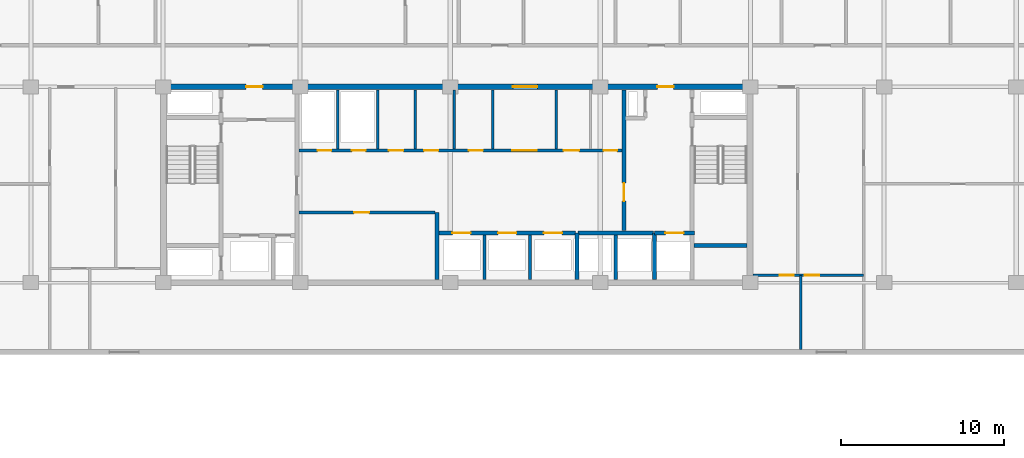
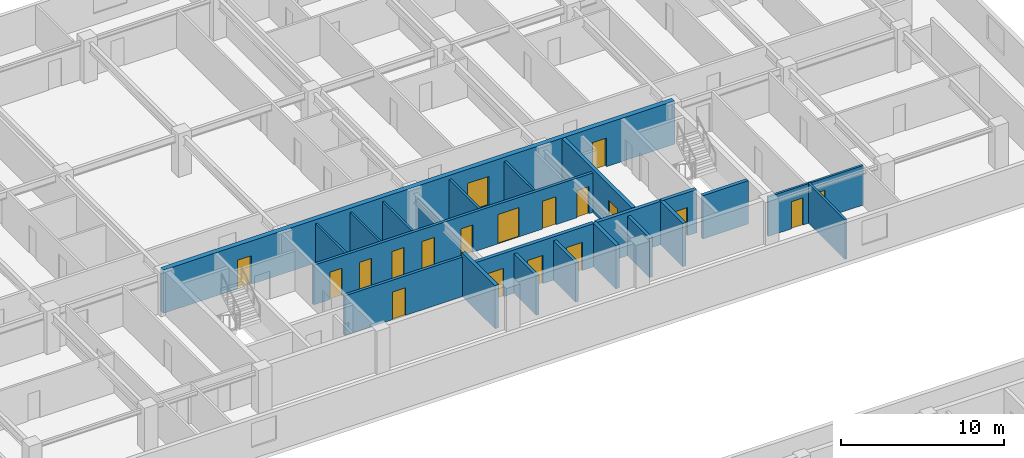
# One storey, part 11 of 21: 22 walls, 19 doors, 19 openings.
"""IFC4 building model written with IfcOpenShell, lengths in metres."""

import ifcopenshell
import ifcopenshell.guid

model = None  # the IFC model being written
_history = None  # IfcOwnerHistory: only IFC2X3 demands one
_inside = {}  # id of a spatial element -> (the spatial element, [elements in it])
_under = {}  # id of a project, library or spatial element -> (it, [spatial elements below it])
_declared = {}  # id of a project -> (the project, [libraries it declares])
_typed = {}  # id of a type object -> (the type object, [elements of that type])
_made_of = {}  # id of a material, layer set ... -> (it, [elements and type objects made of it])


def new_model(schema):
    """Start an empty IFC model of exactly this schema.

    Asked for "IFC4X3", IfcOpenShell would pick the latest addendum, in which some entities
    have other attributes; the version numbers below select the first issue.
    IFC2X3 requires an IfcOwnerHistory on every rooted entity: one is made here for all.
    """
    global model, _history
    if schema == "IFC4X3":
        model = ifcopenshell.file(schema_version=(4, 3, 0, 0))
    else:
        model = ifcopenshell.file(schema=schema)
    _inside.clear()
    _under.clear()
    _declared.clear()
    _typed.clear()
    _made_of.clear()
    _history = None
    if model.schema == "IFC2X3":
        org = make("IfcOrganization", Name="unknown")
        user = make(
            "IfcPersonAndOrganization",
            ThePerson=make("IfcPerson", FamilyName="unknown"),
            TheOrganization=org,
        )
        app = make(
            "IfcApplication",
            ApplicationDeveloper=org,
            Version="unknown",
            ApplicationFullName="unknown",
            ApplicationIdentifier="unknown",
        )
        _history = make(
            "IfcOwnerHistory",
            OwningUser=user,
            OwningApplication=app,
            ChangeAction="ADDED",
            CreationDate=0,
        )
    return model


def make(cls, **values):
    """One entity of the class cls with the attributes given. An attribute that is None is left unset."""
    return model.create_entity(
        cls, **{name: value for name, value in values.items() if value is not None}
    )


def rooted(cls, **values):
    """An entity with a GlobalId (a new one), such as an element, a storey or a relation."""
    return make(cls, GlobalId=ifcopenshell.guid.new(), OwnerHistory=_history, **values)


def si_unit(unit_type, name, prefix=None):
    """IfcSIUnit, for example si_unit("LENGTHUNIT", "METRE", prefix="MILLI")."""
    return make("IfcSIUnit", UnitType=unit_type, Prefix=prefix, Name=name)


def assignment(units):
    """IfcUnitAssignment: the units of a project."""
    return None if units is None else make("IfcUnitAssignment", Units=units)


def point(xyz):
    """IfcCartesianPoint."""
    return None if xyz is None else make("IfcCartesianPoint", Coordinates=xyz)


def direction(xyz):
    """IfcDirection."""
    return None if xyz is None else make("IfcDirection", DirectionRatios=xyz)


def frame(location, z_axis=None, x_axis=None):
    """IfcAxis2Placement3D, a coordinate frame: its origin and axes. An axis left out is left unset."""
    return make(
        "IfcAxis2Placement3D",
        Location=point(location),
        Axis=direction(z_axis),
        RefDirection=direction(x_axis),
    )


def frame_2d(location, x_axis=None):
    """IfcAxis2Placement2D, a coordinate frame in the plane: its origin and x axis."""
    return make(
        "IfcAxis2Placement2D", Location=point(location), RefDirection=direction(x_axis)
    )


def origin():
    """The frame at (0, 0, 0) with its axes left unset."""
    return frame((0.0, 0.0, 0.0))


def place(relative_to, where):
    """IfcLocalPlacement: puts the frame where relative to a parent placement (None: the world)."""
    return make(
        "IfcLocalPlacement", PlacementRelTo=relative_to, RelativePlacement=where
    )


def context(
    kind, dimensions, precision=None, world=None, true_north=None, identifier=None
):
    """IfcGeometricRepresentationContext, for example the 3D "Model" context."""
    return make(
        "IfcGeometricRepresentationContext",
        ContextIdentifier=identifier,
        ContextType=kind,
        CoordinateSpaceDimension=dimensions,
        Precision=precision,
        WorldCoordinateSystem=world,
        TrueNorth=true_north,
    )


def subcontext(parent, identifier, kind, view, scale=None):
    """IfcGeometricRepresentationSubContext, for example "Body" below "Model"."""
    return make(
        "IfcGeometricRepresentationSubContext",
        ContextIdentifier=identifier,
        ContextType=kind,
        ParentContext=parent,
        TargetScale=scale,
        TargetView=view,
    )


def project(units=None, contexts=None):
    """IfcProject with its units and contexts."""
    return rooted(
        "IfcProject",
        Name="project",
        RepresentationContexts=contexts,
        UnitsInContext=assignment(units),
    )


def spatial(cls, under=None, at=None, **own):
    """A site, building, storey or space (cls), placed at a placement, below another one or the project."""
    s = rooted(cls, ObjectPlacement=at, **own)
    if under is not None:
        _under.setdefault(under.id(), (under, []))[1].append(s)
    return s


def profile(cls, at=None, kind="AREA", **sizes):
    """A parametric profile (cls). Its sizes go by their IFC names, for example OverallWidth=200.0."""
    return make(cls, ProfileType=kind, Position=at, **sizes)


def rectangle(**sizes):
    """IfcRectangleProfileDef."""
    return profile("IfcRectangleProfileDef", **sizes)


def extrude(swept, where, along, depth):
    """IfcExtrudedAreaSolid: the profile swept, set in the frame where, extruded along a direction by depth."""
    return make(
        "IfcExtrudedAreaSolid",
        SweptArea=swept,
        Position=where,
        ExtrudedDirection=direction(along),
        Depth=depth,
    )


def shape(context_of_items, identifier, shape_type, items):
    """IfcShapeRepresentation: the items that make up one representation, for example the "Body"."""
    return make(
        "IfcShapeRepresentation",
        ContextOfItems=context_of_items,
        RepresentationIdentifier=identifier,
        RepresentationType=shape_type,
        Items=items,
    )


def material(Name=None, Category=None):
    """IfcMaterial."""
    return make("IfcMaterial", Name=Name, Category=Category)


def layer(
    of_material, thickness, ventilated=None, Name=None, Category=None, Priority=None
):
    """IfcMaterialLayer: one layer of a wall or slab, of a material (None: an air gap)."""
    return make(
        "IfcMaterialLayer",
        Material=of_material,
        LayerThickness=thickness,
        IsVentilated=ventilated,
        Name=Name,
        Category=Category,
        Priority=Priority,
    )


def layer_set(layers, Name=None):
    """IfcMaterialLayerSet."""
    return make("IfcMaterialLayerSet", MaterialLayers=layers, LayerSetName=Name)


def made_of(thing, what):
    """Note that an element or type object is made of a material, layer set ...; save() writes the relation."""
    if what is not None:
        _made_of.setdefault(what.id(), (what, []))[1].append(thing)
    return thing


def type_object(cls, material=None, **own):
    """A type object (cls), such as IfcWallType, which elements share."""
    return made_of(rooted(cls, **own), material)


def element(
    cls,
    number,
    at=None,
    inside=None,
    cuts=None,
    type_object=None,
    material=None,
    context=None,
    identifier="Body",
    shape_type=None,
    held_by="IfcProductDefinitionShape",
    body=None,
    shapes=None,
    **own,
):
    """One element of the class cls, such as IfcWall. Its Tag is "e" and its number.

    at: its placement. inside: the storey or other place that contains it. cuts: it is an
    opening in that element (IfcRelVoidsElement). A single representation is given by context,
    identifier, shape_type and body (its items); several are given by shapes. held_by: the class
    of the entity that holds the representations. save() writes the other relations.
    """
    e = rooted(cls, Tag="e%d" % number, ObjectPlacement=at, **own)
    if body is not None:
        shapes = [shape(context, identifier, shape_type, body)]
    if shapes is not None:
        e.Representation = make(held_by, Representations=shapes)
    if inside is not None:
        _inside.setdefault(inside.id(), (inside, []))[1].append(e)
    if cuts is not None:
        rooted(
            "IfcRelVoidsElement", RelatingBuildingElement=cuts, RelatedOpeningElement=e
        )
    if type_object is not None:
        _typed.setdefault(type_object.id(), (type_object, []))[1].append(e)
    return made_of(e, material)


def fill(opening, filler):
    """IfcRelFillsElement: the door or window that sits in an opening."""
    return rooted(
        "IfcRelFillsElement",
        RelatingOpeningElement=opening,
        RelatedBuildingElement=filler,
    )


def aggregate(whole, parts):
    """IfcRelAggregates: a whole, such as a stair, and the parts it consists of."""
    return rooted("IfcRelAggregates", RelatingObject=whole, RelatedObjects=parts)


def save(model, path):
    """Write the relations noted so far, then the file.

    IfcRelAggregates (storeys below a building ...), IfcRelContainedInSpatialStructure (elements
    in a storey), IfcRelDefinesByType, IfcRelAssociatesMaterial and IfcRelDeclares: one each for
    every whole, place, type object, material and project.
    """
    for whole, parts in _under.values():
        aggregate(whole, parts)
    for where, things in _inside.values():
        rooted(
            "IfcRelContainedInSpatialStructure",
            RelatedElements=things,
            RelatingStructure=where,
        )
    for kind, things in _typed.values():
        rooted("IfcRelDefinesByType", RelatedObjects=things, RelatingType=kind)
    for what, things in _made_of.values():
        rooted("IfcRelAssociatesMaterial", RelatedObjects=things, RelatingMaterial=what)
    for by, libraries in _declared.values():
        rooted("IfcRelDeclares", RelatingContext=by, RelatedDefinitions=libraries)
    model.write(path)


model = new_model("IFC4")

# Units and contexts
model_context = context("Model", 3, precision=1e-05, world=origin(), true_north=direction((0.0, 1.0)))
body_context = subcontext(model_context, "Body", "Model", "MODEL_VIEW")
ifc_project = project(units=[si_unit("LENGTHUNIT", "METRE"), si_unit("AREAUNIT", "SQUARE_METRE"), si_unit("VOLUMEUNIT", "CUBIC_METRE"), si_unit("PLANEANGLEUNIT", "RADIAN"), si_unit("MASSUNIT", "GRAM", prefix="KILO")], contexts=[model_context])

# Site, building, storey
site_placement = place(None, origin())
site = spatial("IfcSite", under=ifc_project, at=site_placement, CompositionType="ELEMENT")
building_placement = place(site_placement, origin())
building = spatial("IfcBuilding", under=site, at=building_placement, Name="Korimba Cascade Residences", CompositionType="ELEMENT")
storey_placement = place(building_placement, frame((0.0, 0.0, 100.300048828125)))
storey = spatial("IfcBuildingStorey", under=building, at=storey_placement, Name="L28", CompositionType="ELEMENT", Elevation=100.300048828125)

# Wall, openings, doors
ifc_material_1 = material(Name="Concrete C65/80", Category="concrete")
ifc_layer_1 = layer(ifc_material_1, 0.35009765625)
ifc_layer_set_1 = layer_set([ifc_layer_1], Name="Concrete C65/80")
wall_type_1 = type_object("IfcWallType", Name="WAL-CORE-350", PredefinedType="SHEAR", material=ifc_layer_set_1)
wall_1_placement = place(storey_placement, frame((75.949951171875, 67.199951171875, 0.0), z_axis=(0.0, 0.0, 1.0), x_axis=(1.0, 0.0, 0.0)))
wall_1 = element("IfcWall", 1, at=wall_1_placement, inside=storey, type_object=wall_type_1, Name="L28 Core Shear Wall CW-L28-T1-N", PredefinedType="SHEAR", context=body_context, shape_type="SweptSolid", body=[
    extrude(rectangle(XDim=36.300048828125, YDim=0.35009765625, at=frame_2d((18.14990234375, 0.0))), origin(), (0.0, 0.0, 1.0), 3.25),
])
opening_1_placement = place(wall_1_placement, frame((5.25, 0.0, 0.0)))
opening_1 = element("IfcOpeningElement", 2, at=opening_1_placement, cuts=wall_1, Name="Opening D-FD5", PredefinedType="OPENING", context=body_context, shape_type="SweptSolid", body=[
    extrude(rectangle(XDim=1.0, YDim=2.14990234375, at=frame_2d((0.5, 1.074951171875))), frame((0.0, 0.18505859375, 0.0), z_axis=(0.0, -1.0, 0.0), x_axis=(1.0, 0.0, 0.0)), (0.0, 0.0, 1.0), 0.3701171875),
])
opening_2_placement = place(wall_1_placement, frame((21.60009765625, 0.0, 0.0)))
opening_2 = element("IfcOpeningElement", 3, at=opening_2_placement, cuts=wall_1, Name="Opening D-FD8", PredefinedType="OPENING", context=body_context, shape_type="SweptSolid", body=[
    extrude(rectangle(XDim=1.5, YDim=2.199951171875, at=frame_2d((0.75, 1.10009765625))), frame((0.0, 0.18505859375, 0.0), z_axis=(0.0, -1.0, 0.0), x_axis=(1.0, 0.0, 0.0)), (0.0, 0.0, 1.0), 0.3701171875),
])
opening_3_placement = place(wall_1_placement, frame((30.449951171875, 0.0, 0.0)))
opening_3 = element("IfcOpeningElement", 4, at=opening_3_placement, cuts=wall_1, Name="Opening D-FD5", PredefinedType="OPENING", context=body_context, shape_type="SweptSolid", body=[
    extrude(rectangle(XDim=1.0, YDim=2.14990234375, at=frame_2d((0.5, 1.074951171875))), frame((0.0, 0.18505859375, 0.0), z_axis=(0.0, -1.0, 0.0), x_axis=(1.0, 0.0, 0.0)), (0.0, 0.0, 1.0), 0.3701171875),
])
ifc_material_2 = material(Name="Fire-Rated Acoustic Timber Vestibule Door", Category="wood")
door_type_1 = type_object("IfcDoorType", Name="DR-FD90-1000", OperationType="NOTDEFINED", PredefinedType="DOOR", material=ifc_material_2)
door_1_placement = place(opening_1_placement, origin())
door_1 = element("IfcDoor", 5, at=door_1_placement, inside=storey, type_object=door_type_1, Name="L28 T1 West Core Vestibule Fire Door", OperationType="SINGLE_SWING_RIGHT", OverallHeight=2.14990234375, OverallWidth=1.0, PredefinedType="DOOR", context=body_context, shape_type="SweptSolid", body=[
    extrude(rectangle(XDim=1.0, YDim=2.14990234375, at=frame_2d((0.5, 1.074951171875))), frame((0.0, 0.02490234375, 0.0), z_axis=(0.0, -1.0, 0.0), x_axis=(1.0, 0.0, 0.0)), (0.0, 0.0, 1.0), 0.050048828125),
])
fill(opening_1, door_1)
door_2_placement = place(opening_3_placement, origin())
door_2 = element("IfcDoor", 6, at=door_2_placement, inside=storey, type_object=door_type_1, Name="L28 T1 East Firefighting Vestibule Fire Door", OperationType="SINGLE_SWING_LEFT", OverallHeight=2.14990234375, OverallWidth=1.0, PredefinedType="DOOR", context=body_context, shape_type="SweptSolid", body=[
    extrude(rectangle(XDim=1.0, YDim=2.14990234375, at=frame_2d((0.5, 1.074951171875))), frame((0.0, 0.02490234375, 0.0), z_axis=(0.0, -1.0, 0.0), x_axis=(1.0, 0.0, 0.0)), (0.0, 0.0, 1.0), 0.050048828125),
])
fill(opening_3, door_2)
ifc_material_3 = material(Name="Fire-Rated Glazed Lift Lobby Double Door", Category="glass")
door_type_2 = type_object("IfcDoorType", Name="DR-FD90-1500", OperationType="NOTDEFINED", PredefinedType="DOOR", material=ifc_material_3)
door_3_placement = place(opening_2_placement, origin())
door_3 = element("IfcDoor", 7, at=door_3_placement, inside=storey, type_object=door_type_2, Name="L28 T1 Lift Lobby Fire Door", OperationType="DOUBLE_DOOR_SINGLE_SWING", OverallHeight=2.199951171875, OverallWidth=1.5, PredefinedType="DOOR", context=body_context, shape_type="SweptSolid", body=[
    extrude(rectangle(XDim=1.5, YDim=2.199951171875, at=frame_2d((0.75, 1.10009765625))), frame((0.0, 0.02490234375, 0.0), z_axis=(0.0, -1.0, 0.0), x_axis=(1.0, 0.0, 0.0)), (0.0, 0.0, 1.0), 0.050048828125),
])
fill(opening_2, door_3)

# Walls
ifc_material_4 = material(Name="Insulated Acoustic Stud Partition", Category="gypsum")
ifc_layer_2 = layer(ifc_material_4, 0.14990234375)
ifc_layer_set_2 = layer_set([ifc_layer_2], Name="Insulated Acoustic Stud Partition")
wall_type_2 = type_object("IfcWallType", Name="WAL-PART-150", PredefinedType="PARTITIONING", material=ifc_layer_set_2)
for number, where, z_axis, x_axis, name in (
    (8, (86.800048828125, 63.39990234375, 0.0), (0.0, 0.0, 1.0), (0.0, 1.0, 0.0), "L28 Partition Wall CW-L28-T1-ERDIV"),
    (9, (89.25, 63.39990234375, 0.0), (0.0, 0.0, 1.0), (0.0, 1.0, 0.0), "L28 Partition Wall CW-L28-T1-PRDIV"),
    (10, (91.550048828125, 63.39990234375, 0.0), (0.0, 0.0, 1.0), (0.0, 1.0, 0.0), "L28 Partition Wall CW-L28-T1-CA1W1"),
):
    element("IfcWall", number, at=place(storey_placement, frame(where, z_axis=z_axis, x_axis=x_axis)), inside=storey, type_object=wall_type_2, Name=name, PredefinedType="PARTITIONING", context=body_context, shape_type="SweptSolid", body=[
        extrude(rectangle(XDim=3.60009765625, YDim=0.14990234375, at=frame_2d((1.800048828125, 0.0))), origin(), (0.0, 0.0, 1.0), 2.969970703125),
    ])
wall_2_placement = place(storey_placement, frame((93.949951171875, 63.39990234375, 0.0), z_axis=(0.0, 0.0, 1.0), x_axis=(0.0, 1.0, 0.0)))
element("IfcWall", 11, at=wall_2_placement, inside=storey, type_object=wall_type_2, Name="L28 Partition Wall CW-L28-T1-CA1W2", PredefinedType="PARTITIONING", context=body_context, shape_type="SweptSolid", body=[
    extrude(rectangle(XDim=3.60009765625, YDim=0.14990234375, at=frame_2d((1.800048828125, 0.0))), origin(), (0.0, 0.0, 1.0), 2.277099609375),
])
for number, where, z_axis, x_axis, name in (
    (12, (96.300048828125, 63.39990234375, 0.0), (0.0, 0.0, 1.0), (0.0, 1.0, 0.0), "L28 Partition Wall CW-L28-T1-THW"),
    (13, (100.199951171875, 63.39990234375, 0.0), (0.0, 0.0, 1.0), (0.0, 1.0, 0.0), "L28 Partition Wall CW-L28-T1-THE"),
):
    element("IfcWall", number, at=place(storey_placement, frame(where, z_axis=z_axis, x_axis=x_axis)), inside=storey, type_object=wall_type_2, Name=name, PredefinedType="PARTITIONING", context=body_context, shape_type="SweptSolid", body=[
        extrude(rectangle(XDim=3.60009765625, YDim=0.14990234375, at=frame_2d((1.800048828125, 0.0))), origin(), (0.0, 0.0, 1.0), 2.969970703125),
    ])
wall_3_placement = place(storey_placement, frame((115.199951171875, 51.10009765625, 0.0), z_axis=(0.0, 0.0, 1.0), x_axis=(0.0, 1.0, 0.0)))
element("IfcWall", 14, at=wall_3_placement, inside=storey, type_object=wall_type_2, Name="L28 Partition Wall WAL-L28-T1-FE-VS", PredefinedType="PARTITIONING", context=body_context, shape_type="SweptSolid", body=[
    extrude(rectangle(XDim=4.5498046875, YDim=0.14990234375, at=frame_2d((2.27490234375, 0.0))), origin(), (0.0, 0.0, 1.0), 2.969970703125),
])

# Wall, openings, doors
wall_4_placement = place(storey_placement, frame((112.27001953125, 55.64990234375, 0.0), z_axis=(0.0, 0.0, 1.0), x_axis=(1.0, 0.0, 0.0)))
wall_4 = element("IfcWall", 15, at=wall_4_placement, inside=storey, type_object=wall_type_2, Name="L28 Partition Wall WAL-L28-T1-FE-H", PredefinedType="PARTITIONING", context=body_context, shape_type="SweptSolid", body=[
    extrude(rectangle(XDim=6.760009765625, YDim=0.14990234375, at=frame_2d((3.3798828125, 0.0))), origin(), (0.0, 0.0, 1.0), 2.969970703125),
])
opening_4_placement = place(wall_4_placement, frame((1.6396484375, 0.0, 0.0)))
opening_4 = element("IfcOpeningElement", 16, at=opening_4_placement, cuts=wall_4, Name="Opening D-BT1", PredefinedType="OPENING", context=body_context, shape_type="SweptSolid", body=[
    extrude(rectangle(XDim=0.840087890625, YDim=2.0400390625, at=frame_2d((0.419921875, 1.02001953125))), frame((0.0, 0.0849609375, 0.0), z_axis=(0.0, -1.0, 0.0), x_axis=(1.0, 0.0, 0.0)), (0.0, 0.0, 1.0), 0.169921875),
])
opening_5_placement = place(wall_4_placement, frame((3.160400390625, 0.0, 0.0)))
opening_5 = element("IfcOpeningElement", 17, at=opening_5_placement, cuts=wall_4, Name="Opening D-IN2", PredefinedType="OPENING", context=body_context, shape_type="SweptSolid", body=[
    extrude(rectangle(XDim=0.8798828125, YDim=2.06005859375, at=frame_2d((0.43994140625, 1.030029296875))), frame((0.0, 0.0849609375, 0.0), z_axis=(0.0, -1.0, 0.0), x_axis=(1.0, 0.0, 0.0)), (0.0, 0.0, 1.0), 0.169921875),
])
ifc_material_5 = material(Name="Moisture-Resistant Bathroom Timber Door", Category="wood")
door_type_3 = type_object("IfcDoorType", Name="DR-INT-850", OperationType="NOTDEFINED", PredefinedType="DOOR", material=ifc_material_5)
door_4_placement = place(opening_4_placement, origin())
door_4 = element("IfcDoor", 18, at=door_4_placement, inside=storey, type_object=door_type_3, Name="L28-T1-FE Bathroom Door", OperationType="SINGLE_SWING_LEFT", OverallHeight=2.0400390625, OverallWidth=0.840087890625, PredefinedType="DOOR", context=body_context, shape_type="SweptSolid", body=[
    extrude(rectangle(XDim=0.840087890625, YDim=2.0400390625, at=frame_2d((0.419921875, 1.02001953125))), frame((0.0, 0.02490234375, 0.0), z_axis=(0.0, -1.0, 0.0), x_axis=(1.0, 0.0, 0.0)), (0.0, 0.0, 1.0), 0.050048828125),
])
fill(opening_4, door_4)
ifc_material_6 = material(Name="Acoustic Timber Bedroom Door", Category="wood")
door_type_4 = type_object("IfcDoorType", Name="DR-INT-880", OperationType="NOTDEFINED", PredefinedType="DOOR", material=ifc_material_6)
door_5_placement = place(opening_5_placement, origin())
door_5 = element("IfcDoor", 19, at=door_5_placement, inside=storey, type_object=door_type_4, Name="L28-T1-FE Bedroom Door", OperationType="SINGLE_SWING_RIGHT", OverallHeight=2.06005859375, OverallWidth=0.8798828125, PredefinedType="DOOR", context=body_context, shape_type="SweptSolid", body=[
    extrude(rectangle(XDim=0.8798828125, YDim=2.06005859375, at=frame_2d((0.43994140625, 1.030029296875))), frame((0.0, 0.02490234375, 0.0), z_axis=(0.0, -1.0, 0.0), x_axis=(1.0, 0.0, 0.0)), (0.0, 0.0, 1.0), 0.050048828125),
])
fill(opening_5, door_5)

# Wall, opening, door
ifc_material_7 = material(Name="Concrete C40/50", Category="concrete")
ifc_layer_3 = layer(ifc_material_7, 0.199951171875)
ifc_layer_set_3 = layer_set([ifc_layer_3], Name="Concrete C40/50")
wall_type_3 = type_object("IfcWallType", Name="WAL-PART-200", PredefinedType="PARTITIONING", material=ifc_layer_set_3)
wall_5_placement = place(storey_placement, frame((84.419921875, 59.5, 0.0), z_axis=(0.0, 0.0, 1.0), x_axis=(1.0, 0.0, 0.0)))
wall_5 = element("IfcWall", 20, at=wall_5_placement, inside=storey, type_object=wall_type_3, Name="L28 Partition Wall CW-L28-T1-B1RN", PredefinedType="PARTITIONING", context=body_context, shape_type="SweptSolid", body=[
    extrude(rectangle(XDim=8.360107421875, YDim=0.199951171875, at=frame_2d((4.18017578125, 0.0))), origin(), (0.0, 0.0, 1.0), 2.969970703125),
])
opening_6_placement = place(wall_5_placement, frame((3.39990234375, 0.0, 0.0)))
opening_6 = element("IfcOpeningElement", 21, at=opening_6_placement, cuts=wall_5, Name="Opening D-ST1", PredefinedType="OPENING", context=body_context, shape_type="SweptSolid", body=[
    extrude(rectangle(XDim=0.919921875, YDim=2.080078125, at=frame_2d((0.4599609375, 1.0400390625))), frame((0.0, 0.10986328125, 0.0), z_axis=(0.0, -1.0, 0.0), x_axis=(1.0, 0.0, 0.0)), (0.0, 0.0, 1.0), 0.219970703125),
])
ifc_material_8 = material(Name="Fire-Rated Core Store Door", Category="wood")
door_type_5 = type_object("IfcDoorType", Name="DR-FD60-920", OperationType="NOTDEFINED", PredefinedType="DOOR", material=ifc_material_8)
door_6_placement = place(opening_6_placement, origin())
door_6 = element("IfcDoor", 22, at=door_6_placement, inside=storey, type_object=door_type_5, Name="L28 Resident Storage Door", OperationType="SINGLE_SWING_RIGHT", OverallHeight=2.080078125, OverallWidth=0.919921875, PredefinedType="DOOR", context=body_context, shape_type="SweptSolid", body=[
    extrude(rectangle(XDim=0.919921875, YDim=2.080078125, at=frame_2d((0.4599609375, 1.0400390625))), frame((0.0, 0.02490234375, 0.0), z_axis=(0.0, -1.0, 0.0), x_axis=(1.0, 0.0, 0.0)), (0.0, 0.0, 1.0), 0.050048828125),
])
fill(opening_6, door_6)

# Walls
for number, where, z_axis, x_axis, name in (
    (23, (95.800048828125, 55.39990234375, 0.0), (0.0, 0.0, 1.0), (0.0, 1.0, 0.0), "L28 Partition Wall CW-L28-T1-B2D1"),
    (24, (98.60009765625, 55.39990234375, 0.0), (0.0, 0.0, 1.0), (0.0, 1.0, 0.0), "L28 Partition Wall CW-L28-T1-B2D2"),
    (25, (103.85009765625, 55.39990234375, 0.0), (0.0, 0.0, 1.0), (0.0, 1.0, 0.0), "L28 Partition Wall CW-L28-T1-B3D1"),
):
    element("IfcWall", number, at=place(storey_placement, frame(where, z_axis=z_axis, x_axis=x_axis)), inside=storey, type_object=wall_type_3, Name=name, PredefinedType="PARTITIONING", context=body_context, shape_type="SweptSolid", body=[
        extrude(rectangle(XDim=2.72021484375, YDim=0.199951171875, at=frame_2d((1.360107421875, 0.0))), origin(), (0.0, 0.0, 1.0), 2.969970703125),
    ])

# Wall, openings, doors
wall_6_placement = place(storey_placement, frame((84.419921875, 63.300048828125, 0.0), z_axis=(0.0, 0.0, 1.0), x_axis=(1.0, 0.0, 0.0)))
wall_6 = element("IfcWall", 26, at=wall_6_placement, inside=storey, type_object=wall_type_3, Name="L28 Partition Wall CW-L28-T1-SRVROW", PredefinedType="PARTITIONING", context=body_context, shape_type="SweptSolid", body=[
    extrude(rectangle(XDim=19.830078125, YDim=0.199951171875, at=frame_2d((9.9150390625, 0.0))), origin(), (0.0, 0.0, 1.0), 2.969970703125),
])
opening_7_placement = place(wall_6_placement, frame((1.14990234375, 0.0, 0.0)))
opening_7 = element("IfcOpeningElement", 27, at=opening_7_placement, cuts=wall_6, Name="Opening D-RS1", PredefinedType="OPENING", context=body_context, shape_type="SweptSolid", body=[
    extrude(rectangle(XDim=0.85009765625, YDim=2.050048828125, at=frame_2d((0.425048828125, 1.02490234375))), frame((0.0, 0.10986328125, 0.0), z_axis=(0.0, -1.0, 0.0), x_axis=(1.0, 0.0, 0.0)), (0.0, 0.0, 1.0), 0.219970703125),
])
opening_8_placement = place(wall_6_placement, frame((3.25, 0.0, 0.0)))
opening_8 = element("IfcOpeningElement", 28, at=opening_8_placement, cuts=wall_6, Name="Opening D-RS1", PredefinedType="OPENING", context=body_context, shape_type="SweptSolid", body=[
    extrude(rectangle(XDim=0.85009765625, YDim=2.050048828125, at=frame_2d((0.425048828125, 1.02490234375))), frame((0.0, 0.10986328125, 0.0), z_axis=(0.0, -1.0, 0.0), x_axis=(1.0, 0.0, 0.0)), (0.0, 0.0, 1.0), 0.219970703125),
])
opening_9_placement = place(wall_6_placement, frame((13.080078125, 0.0, 0.0)))
opening_9 = element("IfcOpeningElement", 29, at=opening_9_placement, cuts=wall_6, Name="Opening D-FD8", PredefinedType="OPENING", context=body_context, shape_type="SweptSolid", body=[
    extrude(rectangle(XDim=1.5, YDim=2.199951171875, at=frame_2d((0.75, 1.10009765625))), frame((0.0, 0.10986328125, 0.0), z_axis=(0.0, -1.0, 0.0), x_axis=(1.0, 0.0, 0.0)), (0.0, 0.0, 1.0), 0.219970703125),
])
opening_10_placement = place(wall_6_placement, frame((5.530029296875, 0.0, 0.0)))
opening_10 = element("IfcOpeningElement", 30, at=opening_10_placement, cuts=wall_6, Name="Opening D-IN2", PredefinedType="OPENING", context=body_context, shape_type="SweptSolid", body=[
    extrude(rectangle(XDim=0.8798828125, YDim=2.06005859375, at=frame_2d((0.43994140625, 1.030029296875))), frame((0.0, 0.10986328125, 0.0), z_axis=(0.0, -1.0, 0.0), x_axis=(1.0, 0.0, 0.0)), (0.0, 0.0, 1.0), 0.219970703125),
])
opening_11_placement = place(wall_6_placement, frame((7.679931640625, 0.0, 0.0)))
opening_11 = element("IfcOpeningElement", 31, at=opening_11_placement, cuts=wall_6, Name="Opening D-IN2", PredefinedType="OPENING", context=body_context, shape_type="SweptSolid", body=[
    extrude(rectangle(XDim=0.8798828125, YDim=2.06005859375, at=frame_2d((0.43994140625, 1.030029296875))), frame((0.0, 0.10986328125, 0.0), z_axis=(0.0, -1.0, 0.0), x_axis=(1.0, 0.0, 0.0)), (0.0, 0.0, 1.0), 0.219970703125),
])
opening_12_placement = place(wall_6_placement, frame((10.429931640625, 0.0, 0.0)))
opening_12 = element("IfcOpeningElement", 32, at=opening_12_placement, cuts=wall_6, Name="Opening D-RS1", PredefinedType="OPENING", context=body_context, shape_type="SweptSolid", body=[
    extrude(rectangle(XDim=0.85009765625, YDim=2.050048828125, at=frame_2d((0.425048828125, 1.02490234375))), frame((0.0, 0.10986328125, 0.0), z_axis=(0.0, -1.0, 0.0), x_axis=(1.0, 0.0, 0.0)), (0.0, 0.0, 1.0), 0.219970703125),
])
opening_13_placement = place(wall_6_placement, frame((16.22998046875, 0.0, 0.0)))
opening_13 = element("IfcOpeningElement", 33, at=opening_13_placement, cuts=wall_6, Name="Opening D-AC1", PredefinedType="OPENING", context=body_context, shape_type="SweptSolid", body=[
    extrude(rectangle(XDim=0.9599609375, YDim=2.10009765625, at=frame_2d((0.47998046875, 1.050048828125))), frame((0.0, 0.10986328125, 0.0), z_axis=(0.0, -1.0, 0.0), x_axis=(1.0, 0.0, 0.0)), (0.0, 0.0, 1.0), 0.219970703125),
])
opening_14_placement = place(wall_6_placement, frame((18.679931640625, 0.0, 0.0)))
opening_14 = element("IfcOpeningElement", 34, at=opening_14_placement, cuts=wall_6, Name="Opening D-BT1", PredefinedType="OPENING", context=body_context, shape_type="SweptSolid", body=[
    extrude(rectangle(XDim=0.840087890625, YDim=2.0400390625, at=frame_2d((0.419921875, 1.02001953125))), frame((0.0, 0.10986328125, 0.0), z_axis=(0.0, -1.0, 0.0), x_axis=(1.0, 0.0, 0.0)), (0.0, 0.0, 1.0), 0.219970703125),
])
ifc_material_9 = material(Name="Accessible Acoustic Timber WC Door", Category="wood")
door_type_6 = type_object("IfcDoorType", Name="DR-ACC-950", OperationType="NOTDEFINED", PredefinedType="DOOR", material=ifc_material_9)
door_7_placement = place(opening_13_placement, origin())
door_7 = element("IfcDoor", 35, at=door_7_placement, inside=storey, type_object=door_type_6, Name="L28 Accessible Staff WC Door", OperationType="SINGLE_SWING_RIGHT", OverallHeight=2.10009765625, OverallWidth=0.9599609375, PredefinedType="DOOR", context=body_context, shape_type="SweptSolid", body=[
    extrude(rectangle(XDim=0.9599609375, YDim=2.10009765625, at=frame_2d((0.47998046875, 1.050048828125))), frame((0.0, 0.02490234375, 0.0), z_axis=(0.0, -1.0, 0.0), x_axis=(1.0, 0.0, 0.0)), (0.0, 0.0, 1.0), 0.050048828125),
])
fill(opening_13, door_7)
ifc_material_10 = material(Name="Fire-Rated Steel Riser Access Door", Category="steel")
door_type_7 = type_object("IfcDoorType", Name="DR-FD60-850", OperationType="NOTDEFINED", PredefinedType="DOOR", material=ifc_material_10)
door_8_placement = place(opening_7_placement, origin())
door_8 = element("IfcDoor", 36, at=door_8_placement, inside=storey, type_object=door_type_7, Name="L28 Electrical Riser Door", OperationType="SINGLE_SWING_LEFT", OverallHeight=2.050048828125, OverallWidth=0.85009765625, PredefinedType="DOOR", context=body_context, shape_type="SweptSolid", body=[
    extrude(rectangle(XDim=0.85009765625, YDim=2.050048828125, at=frame_2d((0.425048828125, 1.02490234375))), frame((0.0, 0.02490234375, 0.0), z_axis=(0.0, -1.0, 0.0), x_axis=(1.0, 0.0, 0.0)), (0.0, 0.0, 1.0), 0.050048828125),
])
fill(opening_7, door_8)
door_9_placement = place(opening_8_placement, origin())
door_9 = element("IfcDoor", 37, at=door_9_placement, inside=storey, type_object=door_type_7, Name="L28 Plumbing Riser Door", OperationType="SINGLE_SWING_RIGHT", OverallHeight=2.050048828125, OverallWidth=0.85009765625, PredefinedType="DOOR", context=body_context, shape_type="SweptSolid", body=[
    extrude(rectangle(XDim=0.85009765625, YDim=2.050048828125, at=frame_2d((0.425048828125, 1.02490234375))), frame((0.0, 0.02490234375, 0.0), z_axis=(0.0, -1.0, 0.0), x_axis=(1.0, 0.0, 0.0)), (0.0, 0.0, 1.0), 0.050048828125),
])
fill(opening_8, door_9)
door_10_placement = place(opening_12_placement, origin())
door_10 = element("IfcDoor", 38, at=door_10_placement, inside=storey, type_object=door_type_7, Name="L28 IT Room Door", OperationType="SINGLE_SWING_LEFT", OverallHeight=2.050048828125, OverallWidth=0.85009765625, PredefinedType="DOOR", context=body_context, shape_type="SweptSolid", body=[
    extrude(rectangle(XDim=0.85009765625, YDim=2.050048828125, at=frame_2d((0.425048828125, 1.02490234375))), frame((0.0, 0.02490234375, 0.0), z_axis=(0.0, -1.0, 0.0), x_axis=(1.0, 0.0, 0.0)), (0.0, 0.0, 1.0), 0.050048828125),
])
fill(opening_12, door_10)
door_11_placement = place(opening_9_placement, origin())
door_11 = element("IfcDoor", 39, at=door_11_placement, inside=storey, type_object=door_type_2, Name="L28 Lift Lobby Foyer Archway Door", OperationType="DOUBLE_DOOR_SINGLE_SWING", OverallHeight=2.199951171875, OverallWidth=1.5, PredefinedType="DOOR", context=body_context, shape_type="SweptSolid", body=[
    extrude(rectangle(XDim=1.5, YDim=2.199951171875, at=frame_2d((0.75, 1.10009765625))), frame((0.0, 0.02490234375, 0.0), z_axis=(0.0, -1.0, 0.0), x_axis=(1.0, 0.0, 0.0)), (0.0, 0.0, 1.0), 0.050048828125),
])
fill(opening_9, door_11)
door_12_placement = place(opening_14_placement, origin())
door_12 = element("IfcDoor", 40, at=door_12_placement, inside=storey, type_object=door_type_3, Name="L28 Vending Room Door", OperationType="SINGLE_SWING_LEFT", OverallHeight=2.0400390625, OverallWidth=0.840087890625, PredefinedType="DOOR", context=body_context, shape_type="SweptSolid", body=[
    extrude(rectangle(XDim=0.840087890625, YDim=2.0400390625, at=frame_2d((0.419921875, 1.02001953125))), frame((0.0, 0.02490234375, 0.0), z_axis=(0.0, -1.0, 0.0), x_axis=(1.0, 0.0, 0.0)), (0.0, 0.0, 1.0), 0.050048828125),
])
fill(opening_14, door_12)
door_13_placement = place(opening_10_placement, origin())
door_13 = element("IfcDoor", 41, at=door_13_placement, inside=storey, type_object=door_type_4, Name="L28 Cleaners Door", OperationType="SINGLE_SWING_LEFT", OverallHeight=2.06005859375, OverallWidth=0.8798828125, PredefinedType="DOOR", context=body_context, shape_type="SweptSolid", body=[
    extrude(rectangle(XDim=0.8798828125, YDim=2.06005859375, at=frame_2d((0.43994140625, 1.030029296875))), frame((0.0, 0.02490234375, 0.0), z_axis=(0.0, -1.0, 0.0), x_axis=(1.0, 0.0, 0.0)), (0.0, 0.0, 1.0), 0.050048828125),
])
fill(opening_10, door_13)
door_14_placement = place(opening_11_placement, origin())
door_14 = element("IfcDoor", 42, at=door_14_placement, inside=storey, type_object=door_type_4, Name="L28 Pantry Door", OperationType="SINGLE_SWING_RIGHT", OverallHeight=2.06005859375, OverallWidth=0.8798828125, PredefinedType="DOOR", context=body_context, shape_type="SweptSolid", body=[
    extrude(rectangle(XDim=0.8798828125, YDim=2.06005859375, at=frame_2d((0.43994140625, 1.030029296875))), frame((0.0, 0.02490234375, 0.0), z_axis=(0.0, -1.0, 0.0), x_axis=(1.0, 0.0, 0.0)), (0.0, 0.0, 1.0), 0.050048828125),
])
fill(opening_11, door_14)

# Wall
ifc_material_11 = material(Name="Concrete C50/60", Category="concrete")
ifc_layer_4 = layer(ifc_material_11, 0.25)
ifc_layer_set_4 = layer_set([ifc_layer_4], Name="Concrete C50/60")
wall_type_4 = type_object("IfcWallType", Name="WAL-SHAFT-250", PredefinedType="SHEAR", material=ifc_layer_set_4)
wall_7_placement = place(storey_placement, frame((92.89990234375, 55.39990234375, 0.0), z_axis=(0.0, 0.0, 1.0), x_axis=(0.0, 1.0, 0.0)))
element("IfcWall", 43, at=wall_7_placement, inside=storey, type_object=wall_type_4, Name="L28 Core Shear Wall CW-L28-T1-B12DIV", PredefinedType="SHEAR", context=body_context, shape_type="SweptSolid", body=[
    extrude(rectangle(XDim=4.10009765625, YDim=0.25, at=frame_2d((2.050048828125, 0.0))), origin(), (0.0, 0.0, 1.0), 3.25),
])

# Wall, openings, doors
wall_8_placement = place(storey_placement, frame((93.02001953125, 58.25, 0.0), z_axis=(0.0, 0.0, 1.0), x_axis=(1.0, 0.0, 0.0)))
wall_8 = element("IfcWall", 44, at=wall_8_placement, inside=storey, type_object=wall_type_4, Name="L28 Core Shear Wall CW-L28-T1-B2N", PredefinedType="SHEAR", context=body_context, shape_type="SweptSolid", body=[
    extrude(rectangle(XDim=8.35986328125, YDim=0.25, at=frame_2d((4.179931640625, 0.0))), origin(), (0.0, 0.0, 1.0), 3.25),
])
opening_15_placement = place(wall_8_placement, frame((0.820068359375, 0.0, 0.0)))
opening_15 = element("IfcOpeningElement", 45, at=opening_15_placement, cuts=wall_8, Name="Opening LD-01", PredefinedType="OPENING", context=body_context, shape_type="SweptSolid", body=[
    extrude(rectangle(XDim=1.1201171875, YDim=2.1201171875, at=frame_2d((0.56005859375, 1.06005859375))), frame((0.0, 0.135009765625, 0.0), z_axis=(0.0, -1.0, 0.0), x_axis=(1.0, 0.0, 0.0)), (0.0, 0.0, 1.0), 0.27001953125),
])
opening_16_placement = place(wall_8_placement, frame((3.6201171875, 0.0, 0.0)))
opening_16 = element("IfcOpeningElement", 46, at=opening_16_placement, cuts=wall_8, Name="Opening LD-01", PredefinedType="OPENING", context=body_context, shape_type="SweptSolid", body=[
    extrude(rectangle(XDim=1.1201171875, YDim=2.1201171875, at=frame_2d((0.56005859375, 1.06005859375))), frame((0.0, 0.135009765625, 0.0), z_axis=(0.0, -1.0, 0.0), x_axis=(1.0, 0.0, 0.0)), (0.0, 0.0, 1.0), 0.27001953125),
])
opening_17_placement = place(wall_8_placement, frame((6.419921875, 0.0, 0.0)))
opening_17 = element("IfcOpeningElement", 47, at=opening_17_placement, cuts=wall_8, Name="Opening LD-01", PredefinedType="OPENING", context=body_context, shape_type="SweptSolid", body=[
    extrude(rectangle(XDim=1.1201171875, YDim=2.1201171875, at=frame_2d((0.56005859375, 1.06005859375))), frame((0.0, 0.135009765625, 0.0), z_axis=(0.0, -1.0, 0.0), x_axis=(1.0, 0.0, 0.0)), (0.0, 0.0, 1.0), 0.27001953125),
])
ifc_material_12 = material(Name="Stainless Steel Lift Landing Sliding Door", Category="steel")
door_type_8 = type_object("IfcDoorType", Name="DR-LIFT-1100", OperationType="NOTDEFINED", PredefinedType="DOOR", material=ifc_material_12)
door_15_placement = place(opening_15_placement, origin())
door_15 = element("IfcDoor", 48, at=door_15_placement, inside=storey, type_object=door_type_8, Name="L28 Lift Landing Door PL-W4", OperationType="SLIDING_TO_RIGHT", OverallHeight=2.1201171875, OverallWidth=1.1201171875, PredefinedType="DOOR", context=body_context, shape_type="SweptSolid", body=[
    extrude(rectangle(XDim=1.1201171875, YDim=2.1201171875, at=frame_2d((0.56005859375, 1.06005859375))), frame((0.0, 0.02490234375, 0.0), z_axis=(0.0, -1.0, 0.0), x_axis=(1.0, 0.0, 0.0)), (0.0, 0.0, 1.0), 0.050048828125),
])
fill(opening_15, door_15)
door_16_placement = place(opening_16_placement, origin())
door_16 = element("IfcDoor", 49, at=door_16_placement, inside=storey, type_object=door_type_8, Name="L28 Lift Landing Door PL-W5", OperationType="SLIDING_TO_RIGHT", OverallHeight=2.1201171875, OverallWidth=1.1201171875, PredefinedType="DOOR", context=body_context, shape_type="SweptSolid", body=[
    extrude(rectangle(XDim=1.1201171875, YDim=2.1201171875, at=frame_2d((0.56005859375, 1.06005859375))), frame((0.0, 0.02490234375, 0.0), z_axis=(0.0, -1.0, 0.0), x_axis=(1.0, 0.0, 0.0)), (0.0, 0.0, 1.0), 0.050048828125),
])
fill(opening_16, door_16)
door_17_placement = place(opening_17_placement, origin())
door_17 = element("IfcDoor", 50, at=door_17_placement, inside=storey, type_object=door_type_8, Name="L28 Lift Landing Door PL-W6", OperationType="SLIDING_TO_RIGHT", OverallHeight=2.1201171875, OverallWidth=1.1201171875, PredefinedType="DOOR", context=body_context, shape_type="SweptSolid", body=[
    extrude(rectangle(XDim=1.1201171875, YDim=2.1201171875, at=frame_2d((0.56005859375, 1.06005859375))), frame((0.0, 0.02490234375, 0.0), z_axis=(0.0, -1.0, 0.0), x_axis=(1.0, 0.0, 0.0)), (0.0, 0.0, 1.0), 0.050048828125),
])
fill(opening_17, door_17)

# Walls
wall_9_placement = place(storey_placement, frame((101.47998046875, 55.39990234375, 0.0), z_axis=(0.0, 0.0, 1.0), x_axis=(0.0, 1.0, 0.0)))
element("IfcWall", 51, at=wall_9_placement, inside=storey, type_object=wall_type_4, Name="L28 Core Shear Wall CW-L28-T1-B23DIV", PredefinedType="SHEAR", context=body_context, shape_type="SweptSolid", body=[
    extrude(rectangle(XDim=2.85009765625, YDim=0.25, at=frame_2d((1.425048828125, 0.0))), origin(), (0.0, 0.0, 1.0), 3.25),
])
wall_10_placement = place(storey_placement, frame((101.550048828125, 58.25, 0.0), z_axis=(0.0, 0.0, 1.0), x_axis=(1.0, 0.0, 0.0)))
element("IfcWall", 52, at=wall_10_placement, inside=storey, type_object=wall_type_4, Name="L28 Core Shear Wall CW-L28-T1-B3N", PredefinedType="SHEAR", context=body_context, shape_type="SweptSolid", body=[
    extrude(rectangle(XDim=4.599853515625, YDim=0.25, at=frame_2d((2.2998046875, 0.0))), origin(), (0.0, 0.0, 1.0), 3.25),
])
wall_11_placement = place(storey_placement, frame((106.219970703125, 55.39990234375, 0.0), z_axis=(0.0, 0.0, 1.0), x_axis=(0.0, 1.0, 0.0)))
element("IfcWall", 53, at=wall_11_placement, inside=storey, type_object=wall_type_4, Name="L28 Core Shear Wall CW-L28-T1-FF2W", PredefinedType="SHEAR", context=body_context, shape_type="SweptSolid", body=[
    extrude(rectangle(XDim=2.85009765625, YDim=0.25, at=frame_2d((1.425048828125, 0.0))), origin(), (0.0, 0.0, 1.0), 3.25),
])

# Wall, opening, door
wall_12_placement = place(storey_placement, frame((106.219970703125, 58.25, 0.0), z_axis=(0.0, 0.0, 1.0), x_axis=(1.0, 0.0, 0.0)))
wall_12 = element("IfcWall", 54, at=wall_12_placement, inside=storey, type_object=wall_type_4, Name="L28 Core Shear Wall CW-L28-T1-FF2N", PredefinedType="SHEAR", context=body_context, shape_type="SweptSolid", body=[
    extrude(rectangle(XDim=2.4599609375, YDim=0.25, at=frame_2d((1.22998046875, 0.0))), origin(), (0.0, 0.0, 1.0), 3.25),
])
opening_18_placement = place(wall_12_placement, frame((0.669921875, 0.0, 0.0)))
opening_18 = element("IfcOpeningElement", 55, at=opening_18_placement, cuts=wall_12, Name="Opening LD-01", PredefinedType="OPENING", context=body_context, shape_type="SweptSolid", body=[
    extrude(rectangle(XDim=1.1201171875, YDim=2.1201171875, at=frame_2d((0.56005859375, 1.06005859375))), frame((0.0, 0.135009765625, 0.0), z_axis=(0.0, -1.0, 0.0), x_axis=(1.0, 0.0, 0.0)), (0.0, 0.0, 1.0), 0.27001953125),
])
door_18_placement = place(opening_18_placement, origin())
door_18 = element("IfcDoor", 56, at=door_18_placement, inside=storey, type_object=door_type_8, Name="L28 Firefighting Lift Landing Door FFL-W2", OperationType="SLIDING_TO_RIGHT", OverallHeight=2.1201171875, OverallWidth=1.1201171875, PredefinedType="DOOR", context=body_context, shape_type="SweptSolid", body=[
    extrude(rectangle(XDim=1.1201171875, YDim=2.1201171875, at=frame_2d((0.56005859375, 1.06005859375))), frame((0.0, 0.02490234375, 0.0), z_axis=(0.0, -1.0, 0.0), x_axis=(1.0, 0.0, 0.0)), (0.0, 0.0, 1.0), 0.050048828125),
])
fill(opening_18, door_18)

wall_13_placement = place(storey_placement, frame((104.35009765625, 58.39990234375, 0.0), z_axis=(0.0, 0.0, 1.0), x_axis=(0.0, 1.0, 0.0)))
wall_13 = element("IfcWall", 57, at=wall_13_placement, inside=storey, type_object=wall_type_4, Name="L28 Core Shear Wall CW-L28-T1-LLEV", PredefinedType="SHEAR", context=body_context, shape_type="SweptSolid", body=[
    extrude(rectangle(XDim=8.60009765625, YDim=0.25, at=frame_2d((4.300048828125, 0.0))), origin(), (0.0, 0.0, 1.0), 3.25),
])
opening_19_placement = place(wall_13_placement, frame((1.800048828125, 0.0, 0.0)))
opening_19 = element("IfcOpeningElement", 58, at=opening_19_placement, cuts=wall_13, Name="Opening D-FD1", PredefinedType="OPENING", context=body_context, shape_type="SweptSolid", body=[
    extrude(rectangle(XDim=1.10009765625, YDim=2.10009765625, at=frame_2d((0.550048828125, 1.050048828125))), frame((0.0, 0.135009765625, 0.0), z_axis=(0.0, -1.0, 0.0), x_axis=(1.0, 0.0, 0.0)), (0.0, 0.0, 1.0), 0.27001953125),
])
ifc_material_13 = material(Name="Fire-Rated Steel Core Door", Category="steel")
door_type_9 = type_object("IfcDoorType", Name="DR-FD120-1100", OperationType="NOTDEFINED", PredefinedType="DOOR", material=ifc_material_13)
door_19_placement = place(opening_19_placement, origin())
door_19 = element("IfcDoor", 59, at=door_19_placement, inside=storey, type_object=door_type_9, Name="L28 Lift Lobby to East Firefighting Lobby Door", OperationType="SINGLE_SWING_LEFT", OverallHeight=2.10009765625, OverallWidth=1.10009765625, PredefinedType="DOOR", context=body_context, shape_type="SweptSolid", body=[
    extrude(rectangle(XDim=1.10009765625, YDim=2.10009765625, at=frame_2d((0.550048828125, 1.050048828125))), frame((0.0, 0.02490234375, 0.0), z_axis=(0.0, -1.0, 0.0), x_axis=(1.0, 0.0, 0.0)), (0.0, 0.0, 1.0), 0.050048828125),
])
fill(opening_19, door_19)

# Wall
wall_14_placement = place(storey_placement, frame((108.659912109375, 57.47509765625, 0.0), z_axis=(0.0, 0.0, 1.0), x_axis=(1.0, 0.0, 0.0)))
element("IfcWall", 60, at=wall_14_placement, inside=storey, type_object=wall_type_4, Name="L28 Core Shear Wall CW-L28-T1-STW2S", PredefinedType="SHEAR", context=body_context, shape_type="SweptSolid", body=[
    extrude(rectangle(XDim=3.239990234375, YDim=0.25, at=frame_2d((1.6201171875, 0.0))), origin(), (0.0, 0.0, 1.0), 3.25),
])

save(model, "model.ifc")
